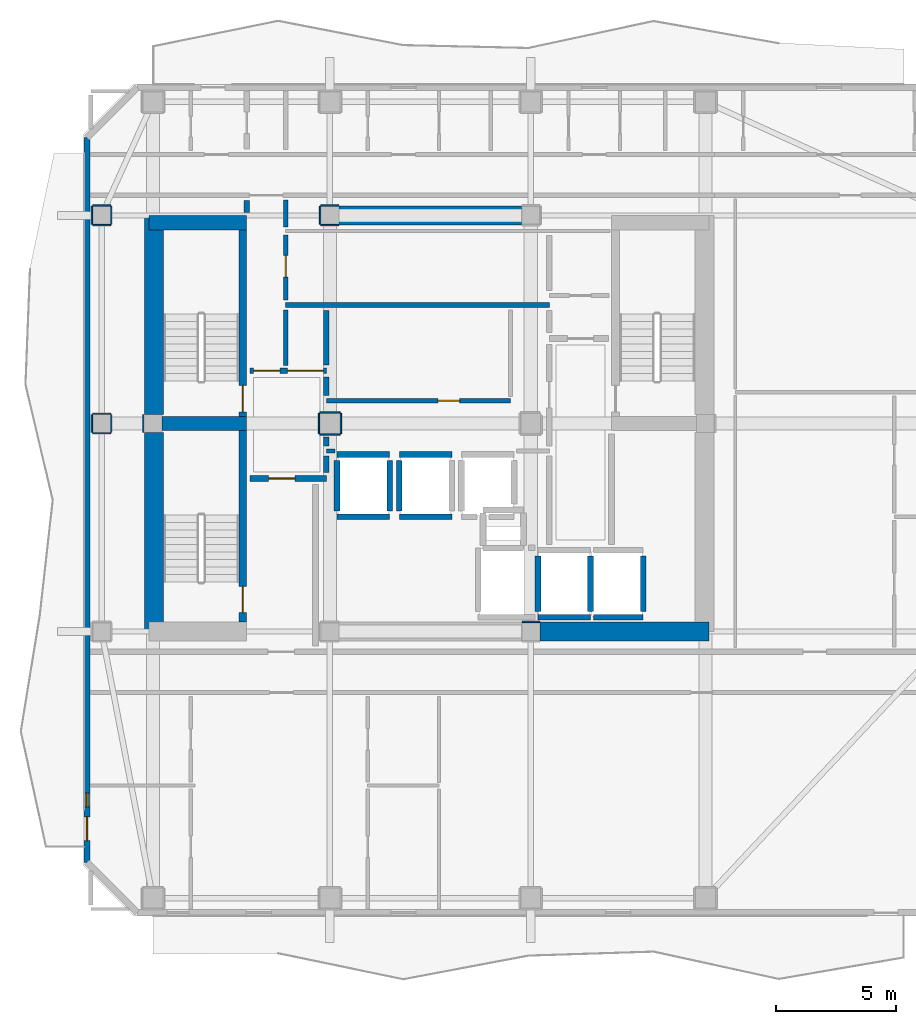
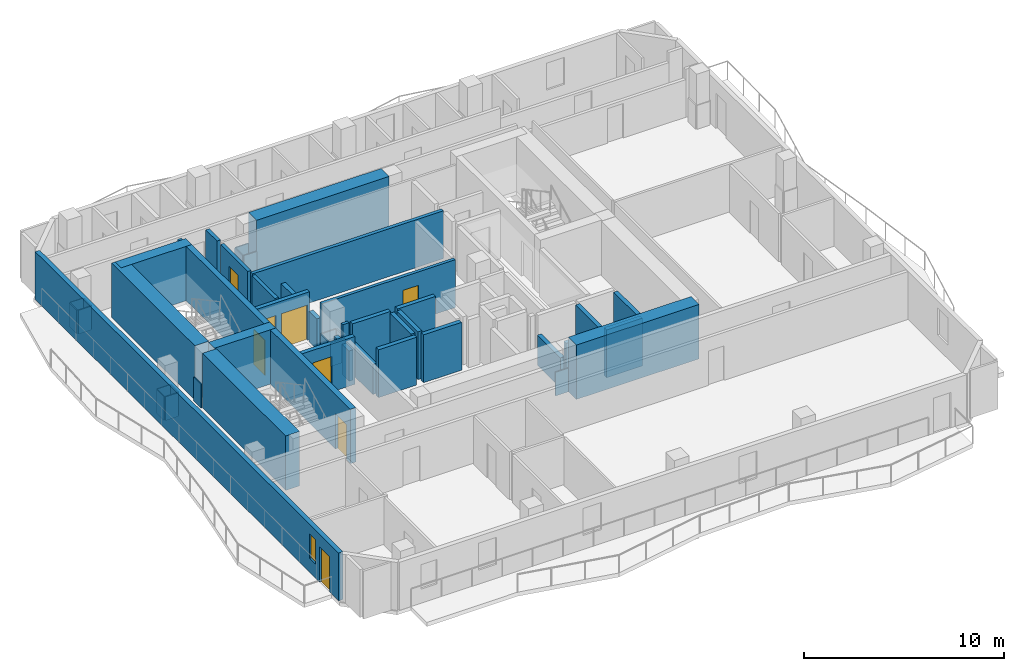
# One storey, part 3 of 9: 51 walls, 8 doors, 1 window, 9 openings.
"""IFC4 building model written with IfcOpenShell, lengths in metres."""

from ifc_helpers import new_model, si_unit, direction, frame, frame_2d, origin, place, context, subcontext, project, spatial, rectangle, extrude, material, layer, layer_set, type_object, element, fill, save


model = new_model("IFC4")

# Units and contexts
model_context = context("Model", 3, precision=1e-05, world=origin(), true_north=direction((0.0, 1.0)))
body_context = subcontext(model_context, "Body", "Model", "MODEL_VIEW")
ifc_project = project(units=[si_unit("LENGTHUNIT", "METRE"), si_unit("AREAUNIT", "SQUARE_METRE"), si_unit("VOLUMEUNIT", "CUBIC_METRE"), si_unit("PLANEANGLEUNIT", "RADIAN"), si_unit("MASSUNIT", "GRAM", prefix="KILO")], contexts=[model_context])

# Site, building, storey
site_placement = place(None, origin())
site = spatial("IfcSite", under=ifc_project, at=site_placement, CompositionType="ELEMENT")
building_placement = place(site_placement, origin())
building = spatial("IfcBuilding", under=site, at=building_placement, Name="Solanera Arch Residences", CompositionType="ELEMENT")
storey_placement = place(building_placement, frame((0.0, 0.0, 223.360107421875)))
storey = spatial("IfcBuildingStorey", under=building, at=storey_placement, Name="L65", CompositionType="ELEMENT", Elevation=223.360107421875)

# Walls
ifc_material_1 = material(Name="Fire-Rated Gypsum Stud Partition", Category="gypsum")
ifc_layer_1 = layer(ifc_material_1, 0.06005859375)
ifc_layer_set_1 = layer_set([ifc_layer_1], Name="Fire-Rated Gypsum Stud Partition")
wall_type_1 = type_object("IfcWallType", Name="Column Acoustic Furring Wall 60", PredefinedType="PARTITIONING", material=ifc_layer_set_1)
wall_1_placement = place(storey_placement, frame((28.8330078125, 22.406982421875, 0.0), z_axis=(0.0, 0.0, 1.0), x_axis=(1.0, 0.0, 0.0)))
element("IfcWall", 1, at=wall_1_placement, inside=storey, type_object=wall_type_1, Name="L65 Column Furring 2N", PredefinedType="PARTITIONING", context=body_context, shape_type="SweptSolid", body=[
    extrude(rectangle(XDim=0.73388671875, YDim=0.06005859375, at=frame_2d((0.366943359375, 0.0))), origin(), (0.0, 0.0, 1.0), 1.449951171875),
])
for number, where, z_axis, x_axis, name in (
    (2, (20.425048828125, 38.992919921875, 0.0), (0.0, 0.0, 1.0), (1.0, 0.0, 0.0), "L65 Column Furring 3S"),
    (3, (20.425048828125, 39.806884765625, 0.0), (0.0, 0.0, 1.0), (1.0, 0.0, 0.0), "L65 Column Furring 3N"),
):
    element("IfcWall", number, at=place(storey_placement, frame(where, z_axis=z_axis, x_axis=x_axis)), inside=storey, type_object=wall_type_1, Name=name, PredefinedType="PARTITIONING", context=body_context, shape_type="SweptSolid", body=[
        extrude(rectangle(XDim=0.741943359375, YDim=0.06005859375, at=frame_2d((0.37109375, 0.0))), origin(), (0.0, 0.0, 1.0), 1.449951171875),
    ])
for number, where, z_axis, x_axis, name in (
    (4, (20.39306640625, 39.02490234375, 0.0), (0.0, 0.0, 1.0), (0.0, 1.0, 0.0), "L65 Column Furring 3W"),
    (5, (12.992919921875, 30.324951171875, 0.0), (0.0, 0.0, 1.0), (0.0, 1.0, 0.0), "L65 Column Furring 5W"),
):
    element("IfcWall", number, at=place(storey_placement, frame(where, z_axis=z_axis, x_axis=x_axis)), inside=storey, type_object=wall_type_1, Name=name, PredefinedType="PARTITIONING", context=body_context, shape_type="SweptSolid", body=[
        extrude(rectangle(XDim=0.75, YDim=0.06005859375, at=frame_2d((0.375, 0.0))), origin(), (0.0, 0.0, 1.0), 1.449951171875),
    ])
for number, where, z_axis, x_axis, name in (
    (6, (20.375, 30.242919921875, 0.0), (0.0, 0.0, 1.0), (1.0, 0.0, 0.0), "L65 Column Furring 7S"),
    (7, (20.375, 31.156982421875, 0.0), (0.0, 0.0, 1.0), (1.0, 0.0, 0.0), "L65 Column Furring 7N"),
    (8, (20.343017578125, 30.27490234375, 0.0), (0.0, 0.0, 1.0), (0.0, 1.0, 0.0), "L65 Column Furring 7W"),
    (9, (21.257080078125, 30.27490234375, 0.0), (0.0, 0.0, 1.0), (0.0, 1.0, 0.0), "L65 Column Furring 7E"),
):
    element("IfcWall", number, at=place(storey_placement, frame(where, z_axis=z_axis, x_axis=x_axis)), inside=storey, type_object=wall_type_1, Name=name, PredefinedType="PARTITIONING", context=body_context, shape_type="SweptSolid", body=[
        extrude(rectangle(XDim=0.85009765625, YDim=0.06005859375, at=frame_2d((0.425048828125, 0.0))), origin(), (0.0, 0.0, 1.0), 1.449951171875),
    ])
for number, where, z_axis, x_axis, name in (
    (10, (10.875, 30.29296875, 0.0), (0.0, 0.0, 1.0), (1.0, 0.0, 0.0), "L65 Column Furring 19S"),
    (11, (10.875, 31.10693359375, 0.0), (0.0, 0.0, 1.0), (1.0, 0.0, 0.0), "L65 Column Furring 19N"),
    (12, (10.843017578125, 30.324951171875, 0.0), (0.0, 0.0, 1.0), (0.0, 1.0, 0.0), "L65 Column Furring 19W"),
    (13, (11.656982421875, 30.324951171875, 0.0), (0.0, 0.0, 1.0), (0.0, 1.0, 0.0), "L65 Column Furring 19E"),
    (14, (10.875, 38.992919921875, 0.0), (0.0, 0.0, 1.0), (1.0, 0.0, 0.0), "L65 Column Furring 21S"),
    (15, (10.875, 39.806884765625, 0.0), (0.0, 0.0, 1.0), (1.0, 0.0, 0.0), "L65 Column Furring 21N"),
    (16, (10.843017578125, 39.02490234375, 0.0), (0.0, 0.0, 1.0), (0.0, 1.0, 0.0), "L65 Column Furring 21W"),
    (17, (11.656982421875, 39.02490234375, 0.0), (0.0, 0.0, 1.0), (0.0, 1.0, 0.0), "L65 Column Furring 21E"),
):
    element("IfcWall", number, at=place(storey_placement, frame(where, z_axis=z_axis, x_axis=x_axis)), inside=storey, type_object=wall_type_1, Name=name, PredefinedType="PARTITIONING", context=body_context, shape_type="SweptSolid", body=[
        extrude(rectangle(XDim=0.75, YDim=0.06005859375, at=frame_2d((0.375, 0.0))), origin(), (0.0, 0.0, 1.0), 1.449951171875),
    ])

# Wall, opening, door
ifc_material_2 = material(Name="Concrete C40/50 (f'c = 45 MPa)", Category="concrete")
ifc_layer_2 = layer(ifc_material_2, 0.320068359375)
ifc_layer_set_2 = layer_set([ifc_layer_2], Name="Concrete C40/50 (f'c = 45 MPa)")
wall_type_2 = type_object("IfcWallType", Name="Core Shear Wall CW-320", PredefinedType="SHEAR", material=ifc_layer_set_2)
wall_2_placement = place(storey_placement, frame((17.159912109375, 31.0, 0.0), z_axis=(0.0, 0.0, 1.0), x_axis=(0.0, 1.0, 0.0)))
wall_2 = element("IfcWall", 18, at=wall_2_placement, inside=storey, type_object=wall_type_2, Name="L65 Stair ST-T1 East Shear Wall", PredefinedType="SHEAR", context=body_context, shape_type="SweptSolid", body=[
    extrude(rectangle(XDim=7.800048828125, YDim=0.320068359375, at=frame_2d((3.89990234375, 0.0))), origin(), (0.0, 0.0, 1.0), 3.31982421875),
])
opening_1_placement = place(wall_2_placement, frame((0.18994140625, 0.0, 0.0)))
opening_1 = element("IfcOpeningElement", 19, at=opening_1_placement, cuts=wall_2, Name="Opening DF-01", PredefinedType="OPENING", context=body_context, shape_type="SweptSolid", body=[
    extrude(rectangle(XDim=1.10009765625, YDim=2.14990234375, at=frame_2d((0.550048828125, 1.074951171875))), frame((0.0, 0.169921875, 0.0), z_axis=(0.0, -1.0, 0.0), x_axis=(1.0, 0.0, 0.0)), (0.0, 0.0, 1.0), 0.3401),
])
ifc_material_3 = material(Name="Fire-Rated Architectural Hardwood", Category="wood")
door_type_1 = type_object("IfcDoorType", Name="Stair Exit Fire Door DF-01", OperationType="NOTDEFINED", PredefinedType="DOOR", material=ifc_material_3)
door_1_placement = place(opening_1_placement, origin())
door_1 = element("IfcDoor", 20, at=door_1_placement, inside=storey, type_object=door_type_1, Name="DR-L65-STAIR-ST-T1", OperationType="SINGLE_SWING_RIGHT", OverallHeight=2.14990234375, OverallWidth=1.10009765625, PredefinedType="DOOR", context=body_context, shape_type="SweptSolid", body=[
    extrude(rectangle(XDim=1.10009765625, YDim=2.14990234375, at=frame_2d((0.550048828125, 1.074951171875))), frame((0.0, 0.02490234375, 0.0), z_axis=(0.0, -1.0, 0.0), x_axis=(1.0, 0.0, 0.0)), (0.0, 0.0, 1.0), 0.050048828125),
])
fill(opening_1, door_1)

wall_3_placement = place(storey_placement, frame((17.159912109375, 22.39990234375, 0.0), z_axis=(0.0, 0.0, 1.0), x_axis=(0.0, 1.0, 0.0)))
wall_3 = element("IfcWall", 21, at=wall_3_placement, inside=storey, type_object=wall_type_2, Name="L65 Stair ST-T3 East Shear Wall", PredefinedType="SHEAR", context=body_context, shape_type="SweptSolid", body=[
    extrude(rectangle(XDim=8.0, YDim=0.320068359375, at=frame_2d((4.0, 0.0))), origin(), (0.0, 0.0, 1.0), 3.31982421875),
])
opening_2_placement = place(wall_3_placement, frame((0.389892578125, 0.0, 0.0)))
opening_2 = element("IfcOpeningElement", 22, at=opening_2_placement, cuts=wall_3, Name="Opening DF-01", PredefinedType="OPENING", context=body_context, shape_type="SweptSolid", body=[
    extrude(rectangle(XDim=1.10009765625, YDim=2.14990234375, at=frame_2d((0.550048828125, 1.074951171875))), frame((0.0, 0.169921875, 0.0), z_axis=(0.0, -1.0, 0.0), x_axis=(1.0, 0.0, 0.0)), (0.0, 0.0, 1.0), 0.3401),
])
door_2_placement = place(opening_2_placement, origin())
door_2 = element("IfcDoor", 23, at=door_2_placement, inside=storey, type_object=door_type_1, Name="DR-L65-STAIR-ST-T3", OperationType="SINGLE_SWING_RIGHT", OverallHeight=2.14990234375, OverallWidth=1.10009765625, PredefinedType="DOOR", context=body_context, shape_type="SweptSolid", body=[
    extrude(rectangle(XDim=1.10009765625, YDim=2.14990234375, at=frame_2d((0.550048828125, 1.074951171875))), frame((0.0, 0.02490234375, 0.0), z_axis=(0.0, -1.0, 0.0), x_axis=(1.0, 0.0, 0.0)), (0.0, 0.0, 1.0), 0.050048828125),
])
fill(opening_2, door_2)

# Walls
ifc_material_4 = material(Name="Concrete C40/50 (f'c = 45 MPa)", Category="concrete")
ifc_layer_3 = layer(ifc_material_4, 0.60009765625)
ifc_layer_set_3 = layer_set([ifc_layer_3], Name="Concrete C40/50 (f'c = 45 MPa)")
wall_type_3 = type_object("IfcWallType", Name="Core Shear Wall CW-600", PredefinedType="SHEAR", material=ifc_layer_set_3)
wall_4_placement = place(storey_placement, frame((13.239990234375, 39.10009765625, 0.0), z_axis=(0.0, 0.0, 1.0), x_axis=(1.0, 0.0, 0.0)))
element("IfcWall", 24, at=wall_4_placement, inside=storey, type_object=wall_type_3, Name="L65 North-West Core Shear Wall", PredefinedType="SHEAR", context=body_context, shape_type="SweptSolid", body=[
    extrude(rectangle(XDim=4.080078125, YDim=0.60009765625, at=frame_2d((2.0400390625, 0.0))), origin(), (0.0, 0.0, 1.0), 3.31982421875),
])
wall_5_placement = place(storey_placement, frame((13.780029296875, 30.699951171875, 0.0), z_axis=(0.0, 0.0, 1.0), x_axis=(1.0, 0.0, 0.0)))
element("IfcWall", 25, at=wall_5_placement, inside=storey, type_object=wall_type_3, Name="L65 West Stair Divider Shear Wall", PredefinedType="SHEAR", context=body_context, shape_type="SweptSolid", body=[
    extrude(rectangle(XDim=3.5400390625, YDim=0.60009765625, at=frame_2d((1.77001953125, 0.0))), origin(), (0.0, 0.0, 1.0), 3.31982421875),
])
ifc_material_5 = material(Name="Concrete C40/50 (f'c = 45 MPa)", Category="concrete")
ifc_layer_4 = layer(ifc_material_5, 0.800048828125)
ifc_layer_set_4 = layer_set([ifc_layer_4], Name="Concrete C40/50 (f'c = 45 MPa)")
wall_type_4 = type_object("IfcWallType", Name="Core Shear Wall CW-800", PredefinedType="SHEAR", material=ifc_layer_set_4)
wall_6_placement = place(storey_placement, frame((13.43994140625, 22.0, 0.0), z_axis=(0.0, 0.0, 1.0), x_axis=(0.0, 1.0, 0.0)))
element("IfcWall", 26, at=wall_6_placement, inside=storey, type_object=wall_type_4, Name="L65 West Core South Shear Wall", PredefinedType="SHEAR", context=body_context, shape_type="SweptSolid", body=[
    extrude(rectangle(XDim=8.320068359375, YDim=0.800048828125, at=frame_2d((4.16015625, 0.0))), origin(), (0.0, 0.0, 1.0), 3.31982421875),
])
wall_7_placement = place(storey_placement, frame((13.43994140625, 31.080078125, 0.0), z_axis=(0.0, 0.0, 1.0), x_axis=(0.0, 1.0, 0.0)))
element("IfcWall", 27, at=wall_7_placement, inside=storey, type_object=wall_type_4, Name="L65 West Core North Shear Wall", PredefinedType="SHEAR", context=body_context, shape_type="SweptSolid", body=[
    extrude(rectangle(XDim=8.31982421875, YDim=0.800048828125, at=frame_2d((4.159912109375, 0.0))), origin(), (0.0, 0.0, 1.0), 3.31982421875),
])
wall_8_placement = place(storey_placement, frame((29.580078125, 22.0, 0.0), z_axis=(0.0, 0.0, 1.0), x_axis=(1.0, 0.0, 0.0)))
element("IfcWall", 28, at=wall_8_placement, inside=storey, type_object=wall_type_4, Name="L65 South-East Core Shear Wall", PredefinedType="SHEAR", context=body_context, shape_type="SweptSolid", body=[
    extrude(rectangle(XDim=7.079833984375, YDim=0.800048828125, at=frame_2d((3.5400390625, 0.0))), origin(), (0.0, 0.0, 1.0), 3.31982421875),
])
wall_9_placement = place(storey_placement, frame((21.179931640625, 39.39990234375, 0.0), z_axis=(0.0, 0.0, 1.0), x_axis=(1.0, 0.0, 0.0)))
element("IfcWall", 29, at=wall_9_placement, inside=storey, type_object=wall_type_4, Name="L65 Central North Core Shear Wall", PredefinedType="SHEAR", context=body_context, shape_type="SweptSolid", body=[
    extrude(rectangle(XDim=7.64013671875, YDim=0.800048828125, at=frame_2d((3.820068359375, 0.0))), origin(), (0.0, 0.0, 1.0), 3.31982421875),
])
ifc_material_6 = material(Name="Autoclaved Aerated Concrete Blockwork", Category="masonry")
ifc_layer_5 = layer(ifc_material_6, 0.179931640625)
ifc_layer_set_5 = layer_set([ifc_layer_5], Name="Autoclaved Aerated Concrete Blockwork")
wall_type_5 = type_object("IfcWallType", Name="Corridor Fire Partition 180", PredefinedType="PARTITIONING", material=ifc_layer_set_5)
wall_10_placement = place(storey_placement, frame((20.64990234375, 29.550048828125, 0.0), z_axis=(0.0, 0.0, 1.0), x_axis=(1.0, 0.0, 0.0)))
element("IfcWall", 30, at=wall_10_placement, inside=storey, type_object=wall_type_5, Name="L65 Interior Partition H8 1", PredefinedType="PARTITIONING", context=body_context, shape_type="SweptSolid", body=[
    extrude(rectangle(XDim=0.357177734375, YDim=0.179931640625, at=frame_2d((0.1787109375, 0.0))), origin(), (0.0, 0.0, 1.0), 2.919921875),
])

# Wall, opening, door
wall_11_placement = place(storey_placement, frame((20.64990234375, 31.64990234375, 0.0), z_axis=(0.0, 0.0, 1.0), x_axis=(1.0, 0.0, 0.0)))
wall_11 = element("IfcWall", 31, at=wall_11_placement, inside=storey, type_object=wall_type_5, Name="L65 Interior Partition H9", PredefinedType="PARTITIONING", context=body_context, shape_type="SweptSolid", body=[
    extrude(rectangle(XDim=7.7001953125, YDim=0.179931640625, at=frame_2d((3.85009765625, 0.0))), origin(), (0.0, 0.0, 1.0), 2.919921875),
])
opening_3_placement = place(wall_11_placement, frame((4.673095703125, 0.0, 0.0)))
opening_3 = element("IfcOpeningElement", 32, at=opening_3_placement, cuts=wall_11, Name="Opening DI-02", PredefinedType="OPENING", context=body_context, shape_type="SweptSolid", body=[
    extrude(rectangle(XDim=0.89990234375, YDim=2.10009765625, at=frame_2d((0.449951171875, 1.050048828125))), frame((0.0, 0.10009765625, 0.0), z_axis=(0.0, -1.0, 0.0), x_axis=(1.0, 0.0, 0.0)), (0.0, 0.0, 1.0), 0.1999),
])
ifc_material_7 = material(Name="Fire-Rated Architectural Hardwood", Category="wood")
door_type_2 = type_object("IfcDoorType", Name="Suite Room Swing Door DI-02", OperationType="NOTDEFINED", PredefinedType="DOOR", material=ifc_material_7)
door_3_placement = place(opening_3_placement, origin())
door_3 = element("IfcDoor", 33, at=door_3_placement, inside=storey, type_object=door_type_2, Name="DR-L65-IN-013", OperationType="SINGLE_SWING_RIGHT", OverallHeight=2.10009765625, OverallWidth=0.89990234375, PredefinedType="DOOR", context=body_context, shape_type="SweptSolid", body=[
    extrude(rectangle(XDim=0.89990234375, YDim=2.10009765625, at=frame_2d((0.449951171875, 1.050048828125))), frame((0.0, 0.02490234375, 0.0), z_axis=(0.0, -1.0, 0.0), x_axis=(1.0, 0.0, 0.0)), (0.0, 0.0, 1.0), 0.050048828125),
])
fill(opening_3, door_3)

# Wall, openings, door, window
ifc_material_8 = material(Name="Precast Concrete C35/45", Category="concrete")
ifc_layer_6 = layer(ifc_material_8, 0.260009765625)
ifc_layer_set_6 = layer_set([ifc_layer_6], Name="Precast Concrete C35/45")
wall_type_6 = type_object("IfcWallType", Name="Exterior Wall Precast Masonry-Frame 260", PredefinedType="STANDARD", material=ifc_layer_set_6)
wall_12_placement = place(storey_placement, frame((10.64501953125, 12.344970703125, 0.0), z_axis=(0.0, 0.0, 1.0), x_axis=(0.0, 1.0, 0.0)))
wall_12 = element("IfcWall", 34, at=wall_12_placement, inside=storey, type_object=wall_type_6, Name="L65 Tower Exterior Precast Masonry-Frame Wall W", PredefinedType="STANDARD", context=body_context, shape_type="SweptSolid", body=[
    extrude(rectangle(XDim=30.31005859375, YDim=0.260009765625, at=frame_2d((15.155029296875, 0.0))), origin(), (0.0, 0.0, 1.0), 2.919921875),
])
opening_4_placement = place(wall_12_placement, frame((0.909912109375, 0.0, 0.0)))
opening_4 = element("IfcOpeningElement", 35, at=opening_4_placement, cuts=wall_12, Name="Opening DB-01", PredefinedType="OPENING", context=body_context, shape_type="SweptSolid", body=[
    extrude(rectangle(XDim=1.0, YDim=2.14990234375, at=frame_2d((0.5, 1.074951171875))), frame((0.0, 0.139892578125, 0.0), z_axis=(0.0, -1.0, 0.0), x_axis=(1.0, 0.0, 0.0)), (0.0, 0.0, 1.0), 0.28),
])
opening_5_placement = place(wall_12_placement, frame((2.322021484375, 0.0, 0.85009765625)))
opening_5 = element("IfcOpeningElement", 36, at=opening_5_placement, cuts=wall_12, Name="Opening W-14", PredefinedType="OPENING", context=body_context, shape_type="SweptSolid", body=[
    extrude(rectangle(XDim=0.580078125, YDim=1.5, at=frame_2d((0.2900390625, 0.75))), frame((0.0, 0.139892578125, 0.0), z_axis=(0.0, -1.0, 0.0), x_axis=(1.0, 0.0, 0.0)), (0.0, 0.0, 1.0), 0.28),
])
ifc_material_9 = material(Name="Anodised Aluminium Alloy 6063-T6", Category="aluminium")
door_type_3 = type_object("IfcDoorType", Name="Glazed Balcony Swing Door DB-01", OperationType="NOTDEFINED", PredefinedType="DOOR", material=ifc_material_9)
door_4_placement = place(opening_4_placement, origin())
door_4 = element("IfcDoor", 37, at=door_4_placement, inside=storey, type_object=door_type_3, Name="DR-L65-OUT-04", OperationType="SINGLE_SWING_RIGHT", OverallHeight=2.14990234375, OverallWidth=1.0, PredefinedType="DOOR", context=body_context, shape_type="SweptSolid", body=[
    extrude(rectangle(XDim=1.0, YDim=2.14990234375, at=frame_2d((0.5, 1.074951171875))), frame((0.0, 0.02490234375, 0.0), z_axis=(0.0, -1.0, 0.0), x_axis=(1.0, 0.0, 0.0)), (0.0, 0.0, 1.0), 0.050048828125),
])
fill(opening_4, door_4)
ifc_material_10 = material(Name="Double Glazed Low-E Laminated Glass", Category="glass")
window_type = type_object("IfcWindowType", Name="Punched Window W-14", PartitioningType="SINGLE_PANEL", PredefinedType="WINDOW", material=ifc_material_10)
window_placement = place(opening_5_placement, origin())
window = element("IfcWindow", 38, at=window_placement, inside=storey, type_object=window_type, Name="L65 6501-BR1 Punched Window", OverallHeight=1.5, OverallWidth=0.580078125, PartitioningType="SINGLE_PANEL", PredefinedType="WINDOW", context=body_context, shape_type="SweptSolid", body=[
    extrude(rectangle(XDim=0.580078125, YDim=1.5, at=frame_2d((0.2900390625, 0.75))), frame((0.0, 0.030029296875, 0.0), z_axis=(0.0, -1.0, 0.0), x_axis=(1.0, 0.0, 0.0)), (0.0, 0.0, 1.0), 0.06005859375),
])
fill(opening_5, window)

# Walls
ifc_material_11 = material(Name="Autoclaved Aerated Concrete Blockwork", Category="masonry")
ifc_layer_7 = layer(ifc_material_11, 0.199951171875)
ifc_layer_set_7 = layer_set([ifc_layer_7], Name="Autoclaved Aerated Concrete Blockwork")
wall_type_7 = type_object("IfcWallType", Name="Party Wall Acoustic 200", PredefinedType="PARTITIONING", material=ifc_layer_set_7)
wall_13_placement = place(storey_placement, frame((18.949951171875, 35.64990234375, 0.0), z_axis=(0.0, 0.0, 1.0), x_axis=(1.0, 0.0, 0.0)))
element("IfcWall", 39, at=wall_13_placement, inside=storey, type_object=wall_type_7, Name="L65 Interior Partition H6", PredefinedType="PARTITIONING", context=body_context, shape_type="SweptSolid", body=[
    extrude(rectangle(XDim=11.025146484375, YDim=0.199951171875, at=frame_2d((5.5126953125, 0.0))), origin(), (0.0, 0.0, 1.0), 2.919921875),
])
wall_14_placement = place(storey_placement, frame((18.949951171875, 33.1279296875, 0.0), z_axis=(0.0, 0.0, 1.0), x_axis=(0.0, 1.0, 0.0)))
element("IfcWall", 40, at=wall_14_placement, inside=storey, type_object=wall_type_7, Name="L65 Interior Partition V7 1", PredefinedType="PARTITIONING", context=body_context, shape_type="SweptSolid", body=[
    extrude(rectangle(XDim=2.31396484375, YDim=0.199951171875, at=frame_2d((1.156982421875, 0.0))), origin(), (0.0, 0.0, 1.0), 2.919921875),
])

# Wall, opening, door
wall_15_placement = place(storey_placement, frame((18.949951171875, 35.85791015625, 0.0), z_axis=(0.0, 0.0, 1.0), x_axis=(0.0, 1.0, 0.0)))
wall_15 = element("IfcWall", 41, at=wall_15_placement, inside=storey, type_object=wall_type_7, Name="L65 Interior Partition V7 2", PredefinedType="PARTITIONING", context=body_context, shape_type="SweptSolid", body=[
    extrude(rectangle(XDim=2.72412109375, YDim=0.199951171875, at=frame_2d((1.362060546875, 0.0))), origin(), (0.0, 0.0, 1.0), 2.919921875),
])
opening_6_placement = place(wall_15_placement, frame((0.967041015625, 0.0, 0.0)))
opening_6 = element("IfcOpeningElement", 42, at=opening_6_placement, cuts=wall_15, Name="Opening DI-02", PredefinedType="OPENING", context=body_context, shape_type="SweptSolid", body=[
    extrude(rectangle(XDim=0.89990234375, YDim=2.10009765625, at=frame_2d((0.449951171875, 1.050048828125))), frame((0.0, 0.110107421875, 0.0), z_axis=(0.0, -1.0, 0.0), x_axis=(1.0, 0.0, 0.0)), (0.0, 0.0, 1.0), 0.22),
])
door_5_placement = place(opening_6_placement, origin())
door_5 = element("IfcDoor", 43, at=door_5_placement, inside=storey, type_object=door_type_2, Name="DR-L65-IN-012", OperationType="SINGLE_SWING_LEFT", OverallHeight=2.10009765625, OverallWidth=0.89990234375, PredefinedType="DOOR", context=body_context, shape_type="SweptSolid", body=[
    extrude(rectangle(XDim=0.89990234375, YDim=2.10009765625, at=frame_2d((0.449951171875, 1.050048828125))), frame((0.0, 0.02490234375, 0.0), z_axis=(0.0, -1.0, 0.0), x_axis=(1.0, 0.0, 0.0)), (0.0, 0.0, 1.0), 0.050048828125),
])
fill(opening_6, door_5)

# Walls
wall_16_placement = place(storey_placement, frame((18.949951171875, 38.91796875, 0.0), z_axis=(0.0, 0.0, 1.0), x_axis=(0.0, 1.0, 0.0)))
element("IfcWall", 44, at=wall_16_placement, inside=storey, type_object=wall_type_7, Name="L65 Interior Partition V7 3", PredefinedType="PARTITIONING", context=body_context, shape_type="SweptSolid", body=[
    extrude(rectangle(XDim=1.134033203125, YDim=0.199951171875, at=frame_2d((0.56689453125, 0.0))), origin(), (0.0, 0.0, 1.0), 2.919921875),
])
ifc_material_12 = material(Name="Autoclaved Aerated Concrete Blockwork", Category="masonry")
ifc_layer_8 = layer(ifc_material_12, 0.239990234375)
ifc_layer_set_8 = layer_set([ifc_layer_8], Name="Autoclaved Aerated Concrete Blockwork")
wall_type_8 = type_object("IfcWallType", Name="Shaft Wall Fire-Rated 240", PredefinedType="PARTITIONING", material=ifc_layer_set_8)
for number, where, z_axis, x_axis, name in (
    (45, (21.10009765625, 26.800048828125, 0.0), (0.0, 0.0, 1.0), (1.0, 0.0, 0.0), "L65 Lift PL-H1 Hoistway Wall S"),
    (46, (21.10009765625, 29.39990234375, 0.0), (0.0, 0.0, 1.0), (1.0, 0.0, 0.0), "L65 Lift PL-H1 Hoistway Wall N"),
):
    element("IfcWall", number, at=place(storey_placement, frame(where, z_axis=z_axis, x_axis=x_axis)), inside=storey, type_object=wall_type_8, Name=name, PredefinedType="PARTITIONING", context=body_context, shape_type="SweptSolid", body=[
        extrude(rectangle(XDim=2.199951171875, YDim=0.239990234375, at=frame_2d((1.10009765625, 0.0))), origin(), (0.0, 0.0, 1.0), 2.919921875),
    ])
wall_17_placement = place(storey_placement, frame((21.10009765625, 27.048095703125, 0.0), z_axis=(0.0, 0.0, 1.0), x_axis=(0.0, 1.0, 0.0)))
element("IfcWall", 47, at=wall_17_placement, inside=storey, type_object=wall_type_8, Name="L65 Lift PL-H1 Hoistway Wall W", PredefinedType="PARTITIONING", context=body_context, shape_type="SweptSolid", body=[
    extrude(rectangle(XDim=2.10400390625, YDim=0.239990234375, at=frame_2d((1.052001953125, 0.0))), origin(), (0.0, 0.0, 1.0), 1.848876953125),
])
wall_18_placement = place(storey_placement, frame((23.300048828125, 27.048095703125, 0.0), z_axis=(0.0, 0.0, 1.0), x_axis=(0.0, 1.0, 0.0)))
element("IfcWall", 48, at=wall_18_placement, inside=storey, type_object=wall_type_8, Name="L65 Lift PL-H1 Hoistway Wall E", PredefinedType="PARTITIONING", context=body_context, shape_type="SweptSolid", body=[
    extrude(rectangle(XDim=2.10400390625, YDim=0.239990234375, at=frame_2d((1.052001953125, 0.0))), origin(), (0.0, 0.0, 1.0), 2.919921875),
])
for number, where, z_axis, x_axis, name in (
    (49, (23.699951171875, 26.800048828125, 0.0), (0.0, 0.0, 1.0), (1.0, 0.0, 0.0), "L65 Lift PL-H2 Hoistway Wall S"),
    (50, (23.699951171875, 29.39990234375, 0.0), (0.0, 0.0, 1.0), (1.0, 0.0, 0.0), "L65 Lift PL-H2 Hoistway Wall N"),
):
    element("IfcWall", number, at=place(storey_placement, frame(where, z_axis=z_axis, x_axis=x_axis)), inside=storey, type_object=wall_type_8, Name=name, PredefinedType="PARTITIONING", context=body_context, shape_type="SweptSolid", body=[
        extrude(rectangle(XDim=2.199951171875, YDim=0.239990234375, at=frame_2d((1.10009765625, 0.0))), origin(), (0.0, 0.0, 1.0), 2.919921875),
    ])
wall_19_placement = place(storey_placement, frame((23.699951171875, 27.048095703125, 0.0), z_axis=(0.0, 0.0, 1.0), x_axis=(0.0, 1.0, 0.0)))
element("IfcWall", 51, at=wall_19_placement, inside=storey, type_object=wall_type_8, Name="L65 Lift PL-H2 Hoistway Wall W", PredefinedType="PARTITIONING", context=body_context, shape_type="SweptSolid", body=[
    extrude(rectangle(XDim=2.10400390625, YDim=0.239990234375, at=frame_2d((1.052001953125, 0.0))), origin(), (0.0, 0.0, 1.0), 2.919921875),
])
wall_20_placement = place(storey_placement, frame((29.5, 22.60009765625, 0.0), z_axis=(0.0, 0.0, 1.0), x_axis=(1.0, 0.0, 0.0)))
element("IfcWall", 52, at=wall_20_placement, inside=storey, type_object=wall_type_8, Name="L65 Lift FFL-1 Hoistway Wall S", PredefinedType="PARTITIONING", context=body_context, shape_type="SweptSolid", body=[
    extrude(rectangle(XDim=2.199951171875, YDim=0.239990234375, at=frame_2d((1.10009765625, 0.0))), origin(), (0.0, 0.0, 1.0), 2.919921875),
])
wall_21_placement = place(storey_placement, frame((29.5, 22.847900390625, 0.0), z_axis=(0.0, 0.0, 1.0), x_axis=(0.0, 1.0, 0.0)))
element("IfcWall", 53, at=wall_21_placement, inside=storey, type_object=wall_type_8, Name="L65 Lift FFL-1 Hoistway Wall W", PredefinedType="PARTITIONING", context=body_context, shape_type="SweptSolid", body=[
    extrude(rectangle(XDim=2.30419921875, YDim=0.239990234375, at=frame_2d((1.152099609375, 0.0))), origin(), (0.0, 0.0, 1.0), 1.848876953125),
])
wall_22_placement = place(storey_placement, frame((31.699951171875, 22.847900390625, 0.0), z_axis=(0.0, 0.0, 1.0), x_axis=(0.0, 1.0, 0.0)))
element("IfcWall", 54, at=wall_22_placement, inside=storey, type_object=wall_type_8, Name="L65 Lift FFL-1 Hoistway Wall E", PredefinedType="PARTITIONING", context=body_context, shape_type="SweptSolid", body=[
    extrude(rectangle(XDim=2.30419921875, YDim=0.239990234375, at=frame_2d((1.152099609375, 0.0))), origin(), (0.0, 0.0, 1.0), 2.919921875),
])
wall_23_placement = place(storey_placement, frame((31.827880859375, 22.60009765625, 0.0), z_axis=(0.0, 0.0, 1.0), x_axis=(1.0, 0.0, 0.0)))
element("IfcWall", 55, at=wall_23_placement, inside=storey, type_object=wall_type_8, Name="L65 Lift FFL-2 Hoistway Wall S", PredefinedType="PARTITIONING", context=body_context, shape_type="SweptSolid", body=[
    extrude(rectangle(XDim=2.072021484375, YDim=0.239990234375, at=frame_2d((1.0361328125, 0.0))), origin(), (0.0, 0.0, 1.0), 2.919921875),
])
wall_24_placement = place(storey_placement, frame((33.89990234375, 22.847900390625, 0.0), z_axis=(0.0, 0.0, 1.0), x_axis=(0.0, 1.0, 0.0)))
element("IfcWall", 56, at=wall_24_placement, inside=storey, type_object=wall_type_8, Name="L65 Lift FFL-2 Hoistway Wall E", PredefinedType="PARTITIONING", context=body_context, shape_type="SweptSolid", body=[
    extrude(rectangle(XDim=2.30419921875, YDim=0.239990234375, at=frame_2d((1.152099609375, 0.0))), origin(), (0.0, 0.0, 1.0), 2.919921875),
])

# Wall, opening, door
wall_25_placement = place(storey_placement, frame((17.449951171875, 28.39990234375, 0.0), z_axis=(0.0, 0.0, 1.0), x_axis=(1.0, 0.0, 0.0)))
wall_25 = element("IfcWall", 57, at=wall_25_placement, inside=storey, type_object=wall_type_8, Name="L65 Interior Partition H3", PredefinedType="PARTITIONING", context=body_context, shape_type="SweptSolid", body=[
    extrude(rectangle(XDim=3.199951171875, YDim=0.239990234375, at=frame_2d((1.60009765625, 0.0))), origin(), (0.0, 0.0, 1.0), 2.919921875),
])
opening_7_placement = place(wall_25_placement, frame((0.783935546875, 0.0, 0.0)))
opening_7 = element("IfcOpeningElement", 58, at=opening_7_placement, cuts=wall_25, Name="Opening DF-02", PredefinedType="OPENING", context=body_context, shape_type="SweptSolid", body=[
    extrude(rectangle(XDim=1.10009765625, YDim=2.14990234375, at=frame_2d((0.550048828125, 1.074951171875))), frame((0.0, 0.1298828125, 0.0), z_axis=(0.0, -1.0, 0.0), x_axis=(1.0, 0.0, 0.0)), (0.0, 0.0, 1.0), 0.26),
])
ifc_material_13 = material(Name="Fire-Rated Architectural Hardwood", Category="wood")
door_type_4 = type_object("IfcDoorType", Name="Firefighting Lobby Fire Door DF-02", OperationType="NOTDEFINED", PredefinedType="DOOR", material=ifc_material_13)
door_6_placement = place(opening_7_placement, origin())
door_6 = element("IfcDoor", 59, at=door_6_placement, inside=storey, type_object=door_type_4, Name="DR-L65-IN-004", OperationType="SINGLE_SWING_LEFT", OverallHeight=2.14990234375, OverallWidth=1.10009765625, PredefinedType="DOOR", context=body_context, shape_type="SweptSolid", body=[
    extrude(rectangle(XDim=1.10009765625, YDim=2.14990234375, at=frame_2d((0.550048828125, 1.074951171875))), frame((0.0, 0.02490234375, 0.0), z_axis=(0.0, -1.0, 0.0), x_axis=(1.0, 0.0, 0.0)), (0.0, 0.0, 1.0), 0.050048828125),
])
fill(opening_7, door_6)

# Wall, openings, doors
wall_26_placement = place(storey_placement, frame((17.449951171875, 32.89990234375, 0.0), z_axis=(0.0, 0.0, 1.0), x_axis=(1.0, 0.0, 0.0)))
wall_26 = element("IfcWall", 60, at=wall_26_placement, inside=storey, type_object=wall_type_8, Name="L65 Interior Partition H4", PredefinedType="PARTITIONING", context=body_context, shape_type="SweptSolid", body=[
    extrude(rectangle(XDim=3.199951171875, YDim=0.239990234375, at=frame_2d((1.60009765625, 0.0))), origin(), (0.0, 0.0, 1.0), 2.919921875),
])
opening_8_placement = place(wall_26_placement, frame((0.158935546875, 0.0, 0.0)))
opening_8 = element("IfcOpeningElement", 61, at=opening_8_placement, cuts=wall_26, Name="Opening DF-02", PredefinedType="OPENING", context=body_context, shape_type="SweptSolid", body=[
    extrude(rectangle(XDim=1.10009765625, YDim=2.14990234375, at=frame_2d((0.550048828125, 1.074951171875))), frame((0.0, 0.1298828125, 0.0), z_axis=(0.0, -1.0, 0.0), x_axis=(1.0, 0.0, 0.0)), (0.0, 0.0, 1.0), 0.26),
])
opening_9_placement = place(wall_26_placement, frame((1.575927734375, 0.0, 0.0)))
opening_9 = element("IfcOpeningElement", 62, at=opening_9_placement, cuts=wall_26, Name="Opening DP-01", PredefinedType="OPENING", context=body_context, shape_type="SweptSolid", body=[
    extrude(rectangle(XDim=1.5, YDim=2.14990234375, at=frame_2d((0.75, 1.074951171875))), frame((0.0, 0.1298828125, 0.0), z_axis=(0.0, -1.0, 0.0), x_axis=(1.0, 0.0, 0.0)), (0.0, 0.0, 1.0), 0.26),
])
door_7_placement = place(opening_8_placement, origin())
door_7 = element("IfcDoor", 63, at=door_7_placement, inside=storey, type_object=door_type_4, Name="DR-L65-IN-005", OperationType="SINGLE_SWING_RIGHT", OverallHeight=2.14990234375, OverallWidth=1.10009765625, PredefinedType="DOOR", context=body_context, shape_type="SweptSolid", body=[
    extrude(rectangle(XDim=1.10009765625, YDim=2.14990234375, at=frame_2d((0.550048828125, 1.074951171875))), frame((0.0, 0.02490234375, 0.0), z_axis=(0.0, -1.0, 0.0), x_axis=(1.0, 0.0, 0.0)), (0.0, 0.0, 1.0), 0.050048828125),
])
fill(opening_8, door_7)
ifc_material_14 = material(Name="Fire-Rated Architectural Hardwood", Category="wood")
door_type_5 = type_object("IfcDoorType", Name="Plant Double Fire Door DP-01", OperationType="NOTDEFINED", PredefinedType="DOOR", material=ifc_material_14)
door_8_placement = place(opening_9_placement, origin())
door_8 = element("IfcDoor", 64, at=door_8_placement, inside=storey, type_object=door_type_5, Name="DR-L65-IN-010", OperationType="SINGLE_SWING_LEFT", OverallHeight=2.14990234375, OverallWidth=1.5, PredefinedType="DOOR", context=body_context, shape_type="SweptSolid", body=[
    extrude(rectangle(XDim=1.5, YDim=2.14990234375, at=frame_2d((0.75, 1.074951171875))), frame((0.0, 0.02490234375, 0.0), z_axis=(0.0, -1.0, 0.0), x_axis=(1.0, 0.0, 0.0)), (0.0, 0.0, 1.0), 0.050048828125),
])
fill(opening_9, door_8)

# Walls
wall_27_placement = place(storey_placement, frame((17.320068359375, 39.530029296875, 0.0), z_axis=(0.0, 0.0, 1.0), x_axis=(0.0, 1.0, 0.0)))
element("IfcWall", 65, at=wall_27_placement, inside=storey, type_object=wall_type_8, Name="L65 Interior Partition V1", PredefinedType="PARTITIONING", context=body_context, shape_type="SweptSolid", body=[
    extrude(rectangle(XDim=0.501953125, YDim=0.239990234375, at=frame_2d((0.2509765625, 0.0))), origin(), (0.0, 0.0, 1.0), 2.919921875),
])
wall_28_placement = place(storey_placement, frame((20.64990234375, 28.64794921875, 0.0), z_axis=(0.0, 0.0, 1.0), x_axis=(0.0, 1.0, 0.0)))
element("IfcWall", 66, at=wall_28_placement, inside=storey, type_object=wall_type_8, Name="L65 Interior Partition V4 1", PredefinedType="PARTITIONING", context=body_context, shape_type="SweptSolid", body=[
    extrude(rectangle(XDim=0.68408203125, YDim=0.239990234375, at=frame_2d((0.342041015625, 0.0))), origin(), (0.0, 0.0, 1.0), 1.848876953125),
])
wall_29_placement = place(storey_placement, frame((20.64990234375, 29.76806640625, 0.0), z_axis=(0.0, 0.0, 1.0), x_axis=(0.0, 1.0, 0.0)))
element("IfcWall", 67, at=wall_29_placement, inside=storey, type_object=wall_type_8, Name="L65 Interior Partition V4 2", PredefinedType="PARTITIONING", context=body_context, shape_type="SweptSolid", body=[
    extrude(rectangle(XDim=0.375, YDim=0.239990234375, at=frame_2d((0.1875, 0.0))), origin(), (0.0, 0.0, 1.0), 1.848876953125),
])
wall_30_placement = place(storey_placement, frame((20.64990234375, 31.867919921875, 0.0), z_axis=(0.0, 0.0, 1.0), x_axis=(0.0, 1.0, 0.0)))
element("IfcWall", 68, at=wall_30_placement, inside=storey, type_object=wall_type_8, Name="L65 Interior Partition V4 3", PredefinedType="PARTITIONING", context=body_context, shape_type="SweptSolid", body=[
    extrude(rectangle(XDim=0.7841796875, YDim=0.239990234375, at=frame_2d((0.39208984375, 0.0))), origin(), (0.0, 0.0, 1.0), 1.848876953125),
])
wall_31_placement = place(storey_placement, frame((20.64990234375, 33.14794921875, 0.0), z_axis=(0.0, 0.0, 1.0), x_axis=(0.0, 1.0, 0.0)))
element("IfcWall", 69, at=wall_31_placement, inside=storey, type_object=wall_type_8, Name="L65 Interior Partition V4 4", PredefinedType="PARTITIONING", context=body_context, shape_type="SweptSolid", body=[
    extrude(rectangle(XDim=2.274169921875, YDim=0.239990234375, at=frame_2d((1.13720703125, 0.0))), origin(), (0.0, 0.0, 1.0), 1.848876953125),
])

save(model, "model.ifc")
